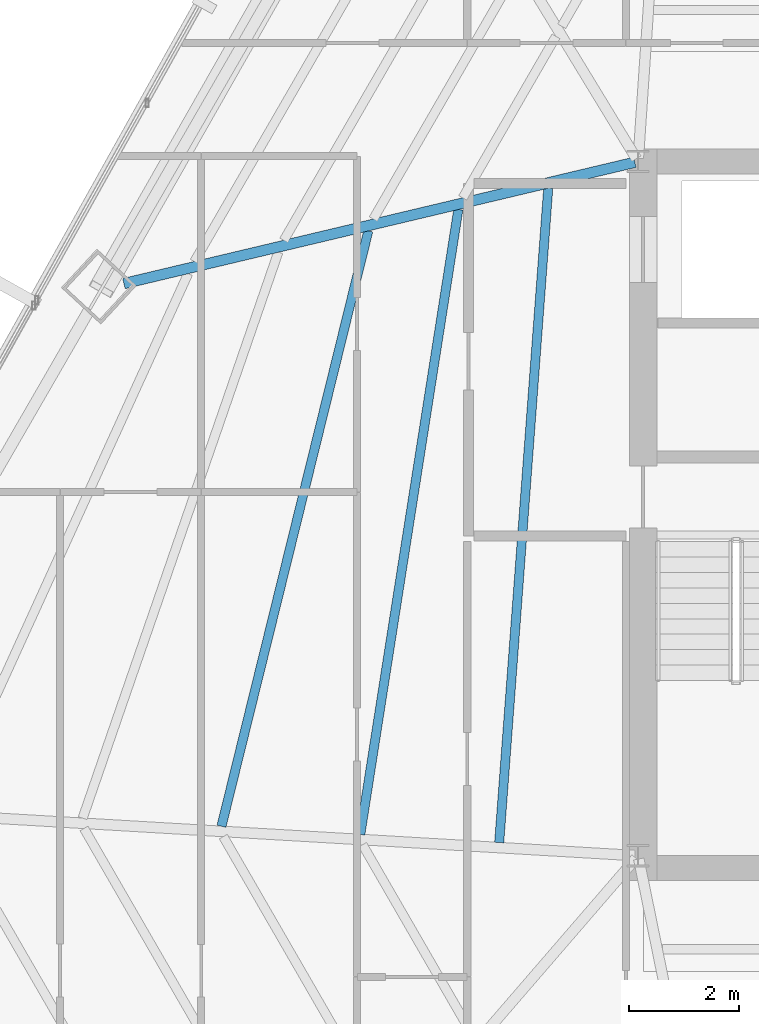
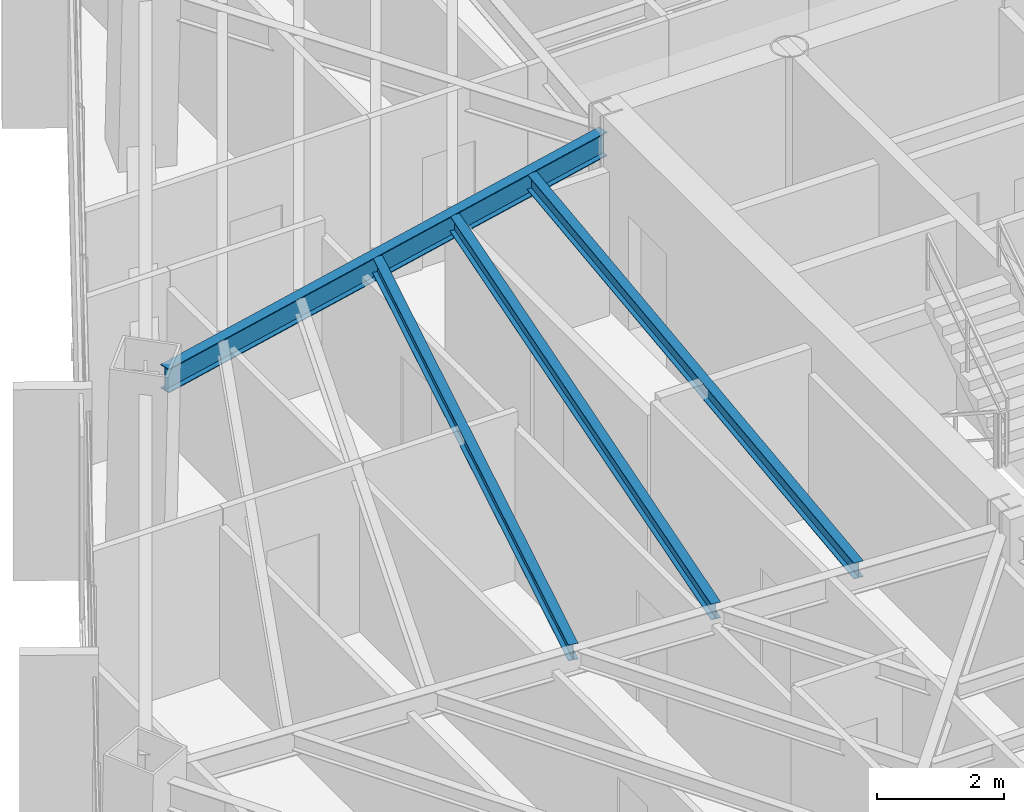
# One storey, part 13 of 40: 4 beams.
"""IFC4 building model written with IfcOpenShell, lengths in metres."""

from ifc_helpers import new_model, si_unit, direction, frame, origin, origin_2d, place, context, subcontext, project, spatial, i_section, extrude, source, transform, mapped, material, material_profile, profile_set, type_object, type_shapes, element, save


model = new_model("IFC4")

# Units and contexts
model_context = context("Model", 3, precision=1e-05, world=origin(), true_north=direction((0.0, 1.0)))
body_context = subcontext(model_context, "Body", "Model", "MODEL_VIEW")
ifc_project = project(units=[si_unit("LENGTHUNIT", "METRE"), si_unit("AREAUNIT", "SQUARE_METRE"), si_unit("VOLUMEUNIT", "CUBIC_METRE"), si_unit("PLANEANGLEUNIT", "RADIAN"), si_unit("MASSUNIT", "GRAM", prefix="KILO")], contexts=[model_context])

# Site, building, storey
site_placement = place(None, origin())
site = spatial("IfcSite", under=ifc_project, at=site_placement, CompositionType="ELEMENT")
building_placement = place(site_placement, origin())
building = spatial("IfcBuilding", under=site, at=building_placement, Name="Caelisora Broadcast Tower", CompositionType="ELEMENT")
storey_placement = place(building_placement, frame((0.0, 0.0, 146.39990234375)))
storey = spatial("IfcBuildingStorey", under=building, at=storey_placement, Name="L38", CompositionType="ELEMENT", Elevation=146.39990234375)

# Beams
ifc_material = material(Name="Steel Grade 350 (AS/NZS 3679.1)", Category="steel")
ifc_material_profile_1 = material_profile(ifc_material, i_section(OverallWidth=0.19091796875, OverallDepth=0.46044921875, WebThickness=0.010009765625, FlangeThickness=0.01611328125, at=origin_2d()), Name="Steel Grade 350 (AS/NZS 3679.1)")
ifc_profile_set_1 = profile_set([ifc_material_profile_1], Name="Steel Grade 350 (AS/NZS 3679.1)")
beam_type_1 = type_object("IfcBeamType", Name="PG06", PredefinedType="BEAM", material=ifc_profile_set_1)
shared_shape_1 = source(origin(), body_context, "Body", "SweptSolid", [
    extrude(i_section(OverallWidth=0.19091796875, OverallDepth=0.46044921875, WebThickness=0.010009765625, FlangeThickness=0.01611328125, at=origin_2d()), origin(), (0.0, 0.0, 1.0), 9.53173828125),
])
type_shapes(beam_type_1, [shared_shape_1])
beam_1_placement = place(storey_placement, frame((30.441650390625, 29.986083984375, 3.02001953125), z_axis=(-0.97295195223, -0.231007572715, 0.0), x_axis=(0.231007572715, -0.97295195223, 0.0)))
element("IfcBeam", 1, at=beam_1_placement, inside=storey, type_object=beam_type_1, Name="L38 beam PG06", PredefinedType="BEAM", context=body_context, shape_type="MappedRepresentation", body=[
    mapped(shared_shape_1, transform((0.0, 0.0, 0.0), scale=1.0)),
])
ifc_material_profile_2 = material_profile(ifc_material, i_section(OverallWidth=0.166015625, OverallDepth=0.30712890625, WebThickness=0.006591796875, FlangeThickness=0.01171875, at=origin_2d()), Name="Steel Grade 350 (AS/NZS 3679.1)")
ifc_profile_set_2 = profile_set([ifc_material_profile_2], Name="Steel Grade 350 (AS/NZS 3679.1)")
beam_type_2 = type_object("IfcBeamType", Name="SB03", PredefinedType="JOIST", material=ifc_profile_set_2)
shared_shape_2 = source(origin(), body_context, "Body", "SweptSolid", [
    extrude(i_section(OverallWidth=0.166015625, OverallDepth=0.30712890625, WebThickness=0.006591796875, FlangeThickness=0.01171875, at=origin_2d()), origin(), (0.0, 0.0, 1.0), 11.910888671875),
])
beam_2_placement = place(storey_placement, frame((28.869384765625, 29.517578125, 3.096435546875), z_axis=(-0.074754278262, -0.997201984495, 0.0), x_axis=(0.997201984495, -0.074754278262, 0.0)))
element("IfcBeam", 2, at=beam_2_placement, inside=storey, type_object=beam_type_2, Name="L38 beam SB03", PredefinedType="JOIST", context=body_context, shape_type="MappedRepresentation", body=[
    mapped(shared_shape_2, transform((0.0, 0.0, 0.0), scale=1.0)),
])
shared_shape_3 = source(origin(), body_context, "Body", "SweptSolid", [
    extrude(i_section(OverallWidth=0.166015625, OverallDepth=0.30712890625, WebThickness=0.006591796875, FlangeThickness=0.01171875, at=origin_2d()), origin(), (0.0, 0.0, 1.0), 11.481201171875),
])
beam_3_placement = place(storey_placement, frame((27.237548828125, 29.130126953125, 3.096435546875), z_axis=(-0.154953526084, -0.987921760442, 0.0), x_axis=(0.987921760442, -0.154953526084, 0.0)))
element("IfcBeam", 3, at=beam_3_placement, inside=storey, type_object=beam_type_2, Name="L38 beam SB03", PredefinedType="JOIST", context=body_context, shape_type="MappedRepresentation", body=[
    mapped(shared_shape_3, transform((0.0, 0.0, 0.0), scale=1.0)),
])
shared_shape_4 = source(origin(), body_context, "Body", "SweptSolid", [
    extrude(i_section(OverallWidth=0.166015625, OverallDepth=0.30712890625, WebThickness=0.006591796875, FlangeThickness=0.01171875, at=origin_2d()), origin(), (0.0, 0.0, 1.0), 11.13134765625),
])
type_shapes(beam_type_2, [shared_shape_2, shared_shape_3, shared_shape_4])
beam_4_placement = place(storey_placement, frame((25.6044921875, 28.7421875, 3.096435546875), z_axis=(-0.239505148914, -0.970895094046, 0.0), x_axis=(0.970895094046, -0.239505148914, 0.0)))
element("IfcBeam", 4, at=beam_4_placement, inside=storey, type_object=beam_type_2, Name="L38 beam SB03", PredefinedType="JOIST", context=body_context, shape_type="MappedRepresentation", body=[
    mapped(shared_shape_4, transform((0.0, 0.0, 0.0), scale=1.0)),
])

save(model, "model.ifc")
